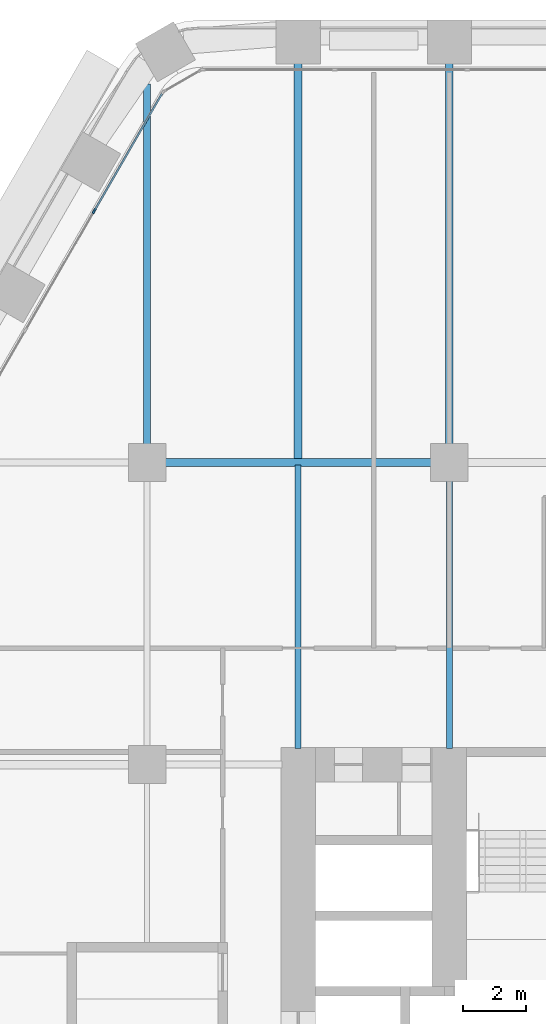
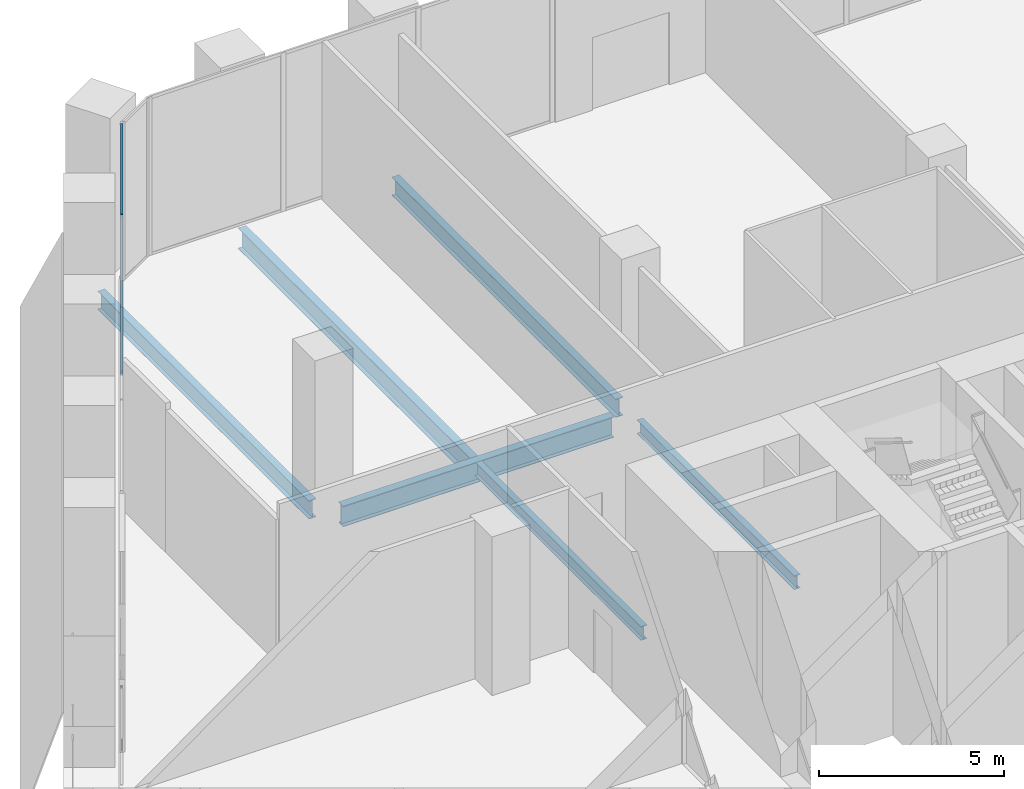
# One storey, part 8 of 27: 6 beams, 3 members, 1 element without a shape of its own.
"""IFC4 building model written with IfcOpenShell, lengths in metres."""

import ifcopenshell
import ifcopenshell.guid

model = None  # the IFC model being written
_history = None  # IfcOwnerHistory: only IFC2X3 demands one
_inside = {}  # id of a spatial element -> (the spatial element, [elements in it])
_under = {}  # id of a project, library or spatial element -> (it, [spatial elements below it])
_declared = {}  # id of a project -> (the project, [libraries it declares])
_typed = {}  # id of a type object -> (the type object, [elements of that type])
_made_of = {}  # id of a material, layer set ... -> (it, [elements and type objects made of it])


def new_model(schema):
    """Start an empty IFC model of exactly this schema.

    Asked for "IFC4X3", IfcOpenShell would pick the latest addendum, in which some entities
    have other attributes; the version numbers below select the first issue.
    IFC2X3 requires an IfcOwnerHistory on every rooted entity: one is made here for all.
    """
    global model, _history
    if schema == "IFC4X3":
        model = ifcopenshell.file(schema_version=(4, 3, 0, 0))
    else:
        model = ifcopenshell.file(schema=schema)
    _inside.clear()
    _under.clear()
    _declared.clear()
    _typed.clear()
    _made_of.clear()
    _history = None
    if model.schema == "IFC2X3":
        org = make("IfcOrganization", Name="unknown")
        user = make(
            "IfcPersonAndOrganization",
            ThePerson=make("IfcPerson", FamilyName="unknown"),
            TheOrganization=org,
        )
        app = make(
            "IfcApplication",
            ApplicationDeveloper=org,
            Version="unknown",
            ApplicationFullName="unknown",
            ApplicationIdentifier="unknown",
        )
        _history = make(
            "IfcOwnerHistory",
            OwningUser=user,
            OwningApplication=app,
            ChangeAction="ADDED",
            CreationDate=0,
        )
    return model


def make(cls, **values):
    """One entity of the class cls with the attributes given. An attribute that is None is left unset."""
    return model.create_entity(
        cls, **{name: value for name, value in values.items() if value is not None}
    )


def rooted(cls, **values):
    """An entity with a GlobalId (a new one), such as an element, a storey or a relation."""
    return make(cls, GlobalId=ifcopenshell.guid.new(), OwnerHistory=_history, **values)


def si_unit(unit_type, name, prefix=None):
    """IfcSIUnit, for example si_unit("LENGTHUNIT", "METRE", prefix="MILLI")."""
    return make("IfcSIUnit", UnitType=unit_type, Prefix=prefix, Name=name)


def assignment(units):
    """IfcUnitAssignment: the units of a project."""
    return None if units is None else make("IfcUnitAssignment", Units=units)


def point(xyz):
    """IfcCartesianPoint."""
    return None if xyz is None else make("IfcCartesianPoint", Coordinates=xyz)


def direction(xyz):
    """IfcDirection."""
    return None if xyz is None else make("IfcDirection", DirectionRatios=xyz)


def frame(location, z_axis=None, x_axis=None):
    """IfcAxis2Placement3D, a coordinate frame: its origin and axes. An axis left out is left unset."""
    return make(
        "IfcAxis2Placement3D",
        Location=point(location),
        Axis=direction(z_axis),
        RefDirection=direction(x_axis),
    )


def frame_2d(location, x_axis=None):
    """IfcAxis2Placement2D, a coordinate frame in the plane: its origin and x axis."""
    return make(
        "IfcAxis2Placement2D", Location=point(location), RefDirection=direction(x_axis)
    )


def origin():
    """The frame at (0, 0, 0) with its axes left unset."""
    return frame((0.0, 0.0, 0.0))


def origin_2d():
    """The frame at (0, 0) in the plane with its x axis left unset."""
    return frame_2d((0.0, 0.0))


def place(relative_to, where):
    """IfcLocalPlacement: puts the frame where relative to a parent placement (None: the world)."""
    return make(
        "IfcLocalPlacement", PlacementRelTo=relative_to, RelativePlacement=where
    )


def context(
    kind, dimensions, precision=None, world=None, true_north=None, identifier=None
):
    """IfcGeometricRepresentationContext, for example the 3D "Model" context."""
    return make(
        "IfcGeometricRepresentationContext",
        ContextIdentifier=identifier,
        ContextType=kind,
        CoordinateSpaceDimension=dimensions,
        Precision=precision,
        WorldCoordinateSystem=world,
        TrueNorth=true_north,
    )


def subcontext(parent, identifier, kind, view, scale=None):
    """IfcGeometricRepresentationSubContext, for example "Body" below "Model"."""
    return make(
        "IfcGeometricRepresentationSubContext",
        ContextIdentifier=identifier,
        ContextType=kind,
        ParentContext=parent,
        TargetScale=scale,
        TargetView=view,
    )


def project(units=None, contexts=None):
    """IfcProject with its units and contexts."""
    return rooted(
        "IfcProject",
        Name="project",
        RepresentationContexts=contexts,
        UnitsInContext=assignment(units),
    )


def spatial(cls, under=None, at=None, **own):
    """A site, building, storey or space (cls), placed at a placement, below another one or the project."""
    s = rooted(cls, ObjectPlacement=at, **own)
    if under is not None:
        _under.setdefault(under.id(), (under, []))[1].append(s)
    return s


def profile(cls, at=None, kind="AREA", **sizes):
    """A parametric profile (cls). Its sizes go by their IFC names, for example OverallWidth=200.0."""
    return make(cls, ProfileType=kind, Position=at, **sizes)


def rectangle(**sizes):
    """IfcRectangleProfileDef."""
    return profile("IfcRectangleProfileDef", **sizes)


def i_section(**sizes):
    """IfcIShapeProfileDef."""
    return profile("IfcIShapeProfileDef", **sizes)


def extrude(swept, where, along, depth):
    """IfcExtrudedAreaSolid: the profile swept, set in the frame where, extruded along a direction by depth."""
    return make(
        "IfcExtrudedAreaSolid",
        SweptArea=swept,
        Position=where,
        ExtrudedDirection=direction(along),
        Depth=depth,
    )


def shape(context_of_items, identifier, shape_type, items):
    """IfcShapeRepresentation: the items that make up one representation, for example the "Body"."""
    return make(
        "IfcShapeRepresentation",
        ContextOfItems=context_of_items,
        RepresentationIdentifier=identifier,
        RepresentationType=shape_type,
        Items=items,
    )


def material(Name=None, Category=None):
    """IfcMaterial."""
    return make("IfcMaterial", Name=Name, Category=Category)


def material_profile(
    of_material, cross_section, Name=None, Category=None, Priority=None
):
    """IfcMaterialProfile: a cross section and its material."""
    return make(
        "IfcMaterialProfile",
        Name=Name,
        Material=of_material,
        Profile=cross_section,
        Priority=Priority,
        Category=Category,
    )


def profile_set(profiles, Name=None, composite=None):
    """IfcMaterialProfileSet."""
    return make(
        "IfcMaterialProfileSet",
        Name=Name,
        MaterialProfiles=profiles,
        CompositeProfile=composite,
    )


def made_of(thing, what):
    """Note that an element or type object is made of a material, layer set ...; save() writes the relation."""
    if what is not None:
        _made_of.setdefault(what.id(), (what, []))[1].append(thing)
    return thing


def type_object(cls, material=None, **own):
    """A type object (cls), such as IfcWallType, which elements share."""
    return made_of(rooted(cls, **own), material)


def element(
    cls,
    number,
    at=None,
    inside=None,
    cuts=None,
    type_object=None,
    material=None,
    context=None,
    identifier="Body",
    shape_type=None,
    held_by="IfcProductDefinitionShape",
    body=None,
    shapes=None,
    **own,
):
    """One element of the class cls, such as IfcWall. Its Tag is "e" and its number.

    at: its placement. inside: the storey or other place that contains it. cuts: it is an
    opening in that element (IfcRelVoidsElement). A single representation is given by context,
    identifier, shape_type and body (its items); several are given by shapes. held_by: the class
    of the entity that holds the representations. save() writes the other relations.
    """
    e = rooted(cls, Tag="e%d" % number, ObjectPlacement=at, **own)
    if body is not None:
        shapes = [shape(context, identifier, shape_type, body)]
    if shapes is not None:
        e.Representation = make(held_by, Representations=shapes)
    if inside is not None:
        _inside.setdefault(inside.id(), (inside, []))[1].append(e)
    if cuts is not None:
        rooted(
            "IfcRelVoidsElement", RelatingBuildingElement=cuts, RelatedOpeningElement=e
        )
    if type_object is not None:
        _typed.setdefault(type_object.id(), (type_object, []))[1].append(e)
    return made_of(e, material)


def aggregate(whole, parts):
    """IfcRelAggregates: a whole, such as a stair, and the parts it consists of."""
    return rooted("IfcRelAggregates", RelatingObject=whole, RelatedObjects=parts)


def save(model, path):
    """Write the relations noted so far, then the file.

    IfcRelAggregates (storeys below a building ...), IfcRelContainedInSpatialStructure (elements
    in a storey), IfcRelDefinesByType, IfcRelAssociatesMaterial and IfcRelDeclares: one each for
    every whole, place, type object, material and project.
    """
    for whole, parts in _under.values():
        aggregate(whole, parts)
    for where, things in _inside.values():
        rooted(
            "IfcRelContainedInSpatialStructure",
            RelatedElements=things,
            RelatingStructure=where,
        )
    for kind, things in _typed.values():
        rooted("IfcRelDefinesByType", RelatedObjects=things, RelatingType=kind)
    for what, things in _made_of.values():
        rooted("IfcRelAssociatesMaterial", RelatedObjects=things, RelatingMaterial=what)
    for by, libraries in _declared.values():
        rooted("IfcRelDeclares", RelatingContext=by, RelatedDefinitions=libraries)
    model.write(path)


model = new_model("IFC4")

# Units and contexts
model_context = context("Model", 3, precision=1e-05, world=origin(), true_north=direction((0.0, 1.0)))
body_context = subcontext(model_context, "Body", "Model", "MODEL_VIEW")
ifc_project = project(units=[si_unit("LENGTHUNIT", "METRE"), si_unit("AREAUNIT", "SQUARE_METRE"), si_unit("VOLUMEUNIT", "CUBIC_METRE"), si_unit("PLANEANGLEUNIT", "RADIAN"), si_unit("MASSUNIT", "GRAM", prefix="KILO")], contexts=[model_context])

# Site, building, storey
site_placement = place(None, origin())
site = spatial("IfcSite", under=ifc_project, at=site_placement, CompositionType="ELEMENT")
building_placement = place(site_placement, origin())
building = spatial("IfcBuilding", under=site, at=building_placement, Name="Kolab Exchange Tower", CompositionType="ELEMENT")
storey_placement = place(building_placement, frame((0.0, 0.0, 44.39990234375)))
storey = spatial("IfcBuildingStorey", under=building, at=storey_placement, Name="L08", CompositionType="ELEMENT", Elevation=44.39990234375)

# Beams
ifc_material_1 = material(Name="Steel S355", Category="steel")
ifc_material_profile_1 = material_profile(ifc_material_1, i_section(OverallWidth=0.18994140625, OverallDepth=0.45703125, WebThickness=0.009033203125, FlangeThickness=0.014404296875, at=origin_2d()), Name="W460X74")
ifc_profile_set_1 = profile_set([ifc_material_profile_1], Name="Steel S355")
beam_type_1 = type_object("IfcBeamType", Name="FLOOR BEAM W460X74", PredefinedType="BEAM", material=ifc_profile_set_1)
beam_1_placement = place(storey_placement, frame((-14.39990234375, 10.110107421875, -0.478515625), z_axis=(0.0, 1.0, 0.0), x_axis=(-1.0, 0.0, 0.0)))
element("IfcBeam", 1, at=beam_1_placement, inside=storey, type_object=beam_type_1, Name="beam/L08/fr/020", PredefinedType="BEAM", context=body_context, shape_type="SweptSolid", body=[
    extrude(i_section(OverallWidth=0.18994140625, OverallDepth=0.45703125, WebThickness=0.009033203125, FlangeThickness=0.014404296875, at=origin_2d()), origin(), (0.0, 0.0, 1.0), 9.0029296875),
])
beam_2_placement = place(storey_placement, frame((-9.60009765625, 10.110107421875, -0.478515625), z_axis=(0.0, 1.0, 0.0), x_axis=(-1.0, 0.0, 0.0)))
element("IfcBeam", 2, at=beam_2_placement, inside=storey, type_object=beam_type_1, Name="beam/L08/fr/024", PredefinedType="BEAM", context=body_context, shape_type="SweptSolid", body=[
    extrude(i_section(OverallWidth=0.18994140625, OverallDepth=0.45703125, WebThickness=0.009033203125, FlangeThickness=0.014404296875, at=origin_2d()), origin(), (0.0, 0.0, 1.0), 8.52978515625),
])
ifc_material_profile_2 = material_profile(ifc_material_1, i_section(OverallWidth=0.22802734375, OverallDepth=0.60791015625, WebThickness=0.01123046875, FlangeThickness=0.017333984375, at=origin_2d()), Name="W610X113")
ifc_profile_set_2 = profile_set([ifc_material_profile_2], Name="Steel S355")
beam_type_2 = type_object("IfcBeamType", Name="FLOOR BEAM W610X113", PredefinedType="BEAM", material=ifc_profile_set_2)
beam_3_placement = place(storey_placement, frame((-19.199951171875, 19.760009765625, -0.553955078125), z_axis=(0.0, 1.0, 0.0), x_axis=(-1.0, 0.0, 0.0)))
element("IfcBeam", 3, at=beam_3_placement, inside=storey, type_object=beam_type_2, Name="beam/L08/fr/017", PredefinedType="BEAM", context=body_context, shape_type="SweptSolid", body=[
    extrude(i_section(OverallWidth=0.22802734375, OverallDepth=0.60791015625, WebThickness=0.01123046875, FlangeThickness=0.017333984375, at=origin_2d()), origin(), (0.0, 0.0, 1.0), 11.45458984375),
])
beam_4_placement = place(storey_placement, frame((-9.60009765625, 19.760009765625, -0.553955078125), z_axis=(0.0, 1.0, 0.0), x_axis=(-1.0, 0.0, 0.0)))
element("IfcBeam", 4, at=beam_4_placement, inside=storey, type_object=beam_type_2, Name="beam/L08/fr/025", PredefinedType="BEAM", context=body_context, shape_type="SweptSolid", body=[
    extrude(i_section(OverallWidth=0.22802734375, OverallDepth=0.60791015625, WebThickness=0.01123046875, FlangeThickness=0.017333984375, at=origin_2d()), origin(), (0.0, 0.0, 1.0), 12.135498046875),
])
ifc_material_profile_3 = material_profile(ifc_material_1, i_section(OverallWidth=0.25390625, OverallDepth=0.68408203125, WebThickness=0.012451171875, FlangeThickness=0.018798828125, at=origin_2d()), Name="W690X140")
ifc_profile_set_3 = profile_set([ifc_material_profile_3], Name="Steel S355")
beam_type_3 = type_object("IfcBeamType", Name="FLOOR BEAM W690X140", PredefinedType="BEAM", material=ifc_profile_set_3)
beam_5_placement = place(storey_placement, frame((-14.39990234375, 19.287109375, -0.591796875), z_axis=(0.0, 1.0, 0.0), x_axis=(-1.0, 0.0, 0.0)))
element("IfcBeam", 5, at=beam_5_placement, inside=storey, type_object=beam_type_3, Name="beam/L08/fr/021", PredefinedType="BEAM", context=body_context, shape_type="SweptSolid", body=[
    extrude(i_section(OverallWidth=0.25390625, OverallDepth=0.68408203125, WebThickness=0.012451171875, FlangeThickness=0.018798828125, at=origin_2d()), origin(), (0.0, 0.0, 1.0), 12.6083984375),
])
ifc_material_profile_4 = material_profile(ifc_material_1, i_section(OverallWidth=0.25390625, OverallDepth=0.68408203125, WebThickness=0.012451171875, FlangeThickness=0.018798828125, at=origin_2d()), Name="W690X140")
ifc_profile_set_4 = profile_set([ifc_material_profile_4], Name="Steel S355")
beam_type_4 = type_object("IfcBeamType", Name="FLOOR GIRDER W690X140", PredefinedType="BEAM", material=ifc_profile_set_4)
beam_6_placement = place(storey_placement, frame((-18.639892578125, 19.199951171875, -0.591796875), z_axis=(1.0, 0.0, 0.0), x_axis=(0.0, 1.0, 0.0)))
element("IfcBeam", 6, at=beam_6_placement, inside=storey, type_object=beam_type_4, Name="beam/L08/gd/009", PredefinedType="BEAM", context=body_context, shape_type="SweptSolid", body=[
    extrude(i_section(OverallWidth=0.25390625, OverallDepth=0.68408203125, WebThickness=0.012451171875, FlangeThickness=0.018798828125, at=origin_2d()), origin(), (0.0, 0.0, 1.0), 8.47998046875),
])

# Curtain wall, members
ifc_material_2 = material(Name="Aluminium EN AW-6063 T6", Category="aluminium")
curtain_wall_type = type_object("IfcCurtainWallType", Name="UNITISED LOW ZONE CURTAIN WALL", PredefinedType="NOTDEFINED", material=ifc_material_2)
curtain_wall_placement = place(storey_placement, origin())
curtain_wall = element("IfcCurtainWall", 7, at=curtain_wall_placement, inside=storey, type_object=curtain_wall_type, Name="cw/L08/F6-2", PredefinedType="NOTDEFINED")
ifc_material_profile_5 = material_profile(ifc_material_2, rectangle(XDim=0.06005859375, YDim=0.159912109375, at=origin_2d()), Name="RECT 60X160")
ifc_profile_set_5 = profile_set([ifc_material_profile_5], Name="Aluminium EN AW-6063 T6")
member_type_1 = type_object("IfcMemberType", Name="UNITISED LOW ZONE MULLION 60 X 160", PredefinedType="MULLION", material=ifc_profile_set_5)
member_1_placement = place(storey_placement, frame((-20.881103515625, 27.183349609375, 0.0), z_axis=(0.0, 0.0, 1.0), x_axis=(-0.866025397318, 0.5000000112, 0.0)))
member_1 = element("IfcMember", 8, at=member_1_placement, type_object=member_type_1, Name="CW1 mullion 4", PredefinedType="MULLION", context=body_context, shape_type="SweptSolid", body=[
    extrude(rectangle(XDim=0.06005859375, YDim=0.159912109375, at=origin_2d()), origin(), (0.0, 0.0, 1.0), 5.25),
])
ifc_material_profile_6 = material_profile(ifc_material_2, rectangle(XDim=0.06005859375, YDim=0.10009765625, at=origin_2d()), Name="RECT 60X100")
ifc_profile_set_6 = profile_set([ifc_material_profile_6], Name="Aluminium EN AW-6063 T6")
member_type_2 = type_object("IfcMemberType", Name="UNITISED LOW ZONE TRANSOM 60 X 100", PredefinedType="USERDEFINED", material=ifc_profile_set_6)
member_2_placement = place(storey_placement, frame((-20.8662109375, 27.20947265625, 0.030029296875), z_axis=(0.500000816281, 0.866024932504, 0.0), x_axis=(-0.866024932504, 0.500000816281, 0.0)))
member_2 = element("IfcMember", 9, at=member_2_placement, type_object=member_type_2, Name="CW1 transom 4.1", ObjectType="TRANSOM", PredefinedType="USERDEFINED", context=body_context, shape_type="SweptSolid", body=[
    extrude(rectangle(XDim=0.06005859375, YDim=0.10009765625, at=origin_2d()), origin(), (0.0, 0.0, 1.0), 4.27685546875),
])
member_3_placement = place(storey_placement, frame((-20.8662109375, 27.20947265625, 5.22021484375), z_axis=(0.500000816281, 0.866024932504, 0.0), x_axis=(-0.866024932504, 0.500000816281, 0.0)))
member_3 = element("IfcMember", 10, at=member_3_placement, type_object=member_type_2, Name="CW1 transom 4.2", ObjectType="TRANSOM", PredefinedType="USERDEFINED", context=body_context, shape_type="SweptSolid", body=[
    extrude(rectangle(XDim=0.06005859375, YDim=0.10009765625, at=origin_2d()), origin(), (0.0, 0.0, 1.0), 4.27685546875),
])
aggregate(curtain_wall, [member_1, member_2, member_3])

save(model, "model.ifc")
